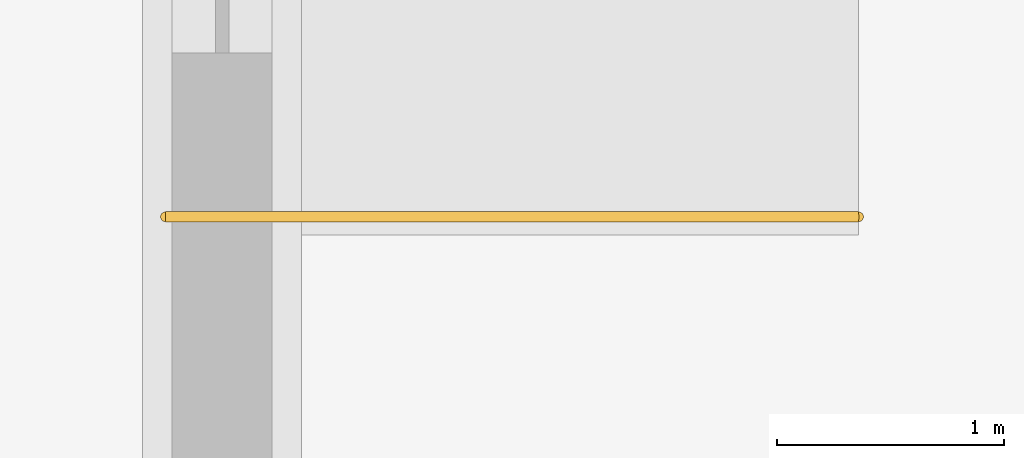
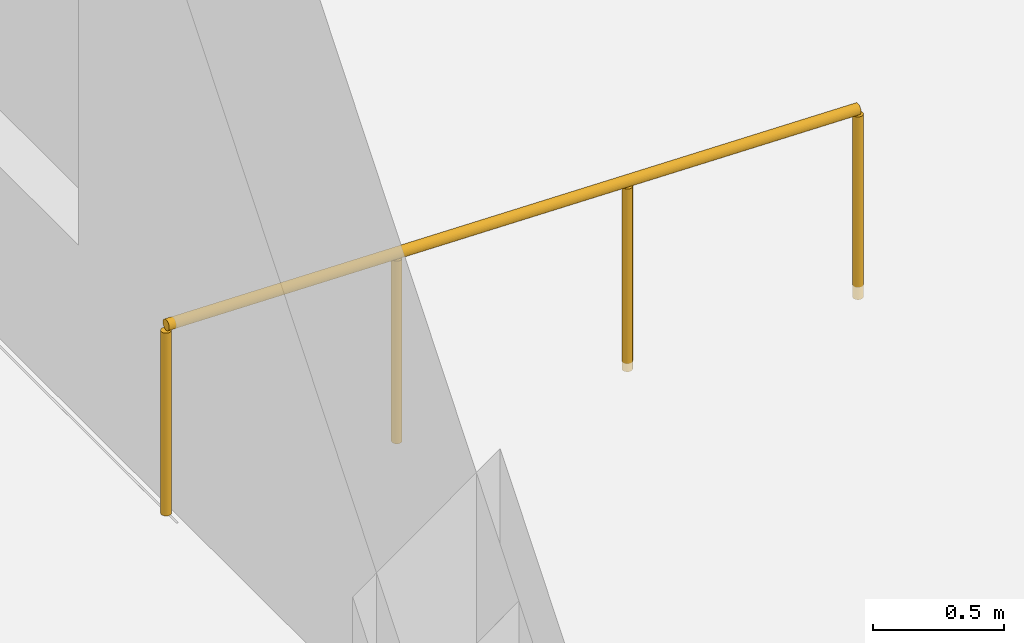
# One storey, part 72 of 72: 1 railing.
"""IFC4 building model written with IfcOpenShell, lengths in metres."""

from ifc_helpers import new_model, si_unit, direction, frame, origin, origin_2d, place, context, subcontext, project, spatial, circle, extrude, material, type_object, element, save


model = new_model("IFC4")

# Units and contexts
model_context = context("Model", 3, precision=1e-05, world=origin(), true_north=direction((0.0, 1.0)))
body_context = subcontext(model_context, "Body", "Model", "MODEL_VIEW")
ifc_project = project(units=[si_unit("LENGTHUNIT", "METRE"), si_unit("AREAUNIT", "SQUARE_METRE"), si_unit("VOLUMEUNIT", "CUBIC_METRE"), si_unit("PLANEANGLEUNIT", "RADIAN"), si_unit("MASSUNIT", "GRAM", prefix="KILO")], contexts=[model_context])

# Site, building, storey
site_placement = place(None, origin())
site = spatial("IfcSite", under=ifc_project, at=site_placement, CompositionType="ELEMENT")
building_placement = place(site_placement, origin())
building = spatial("IfcBuilding", under=site, at=building_placement, Name="Korsvaeld Concert Hall", CompositionType="ELEMENT")
storey_placement = place(building_placement, origin())
storey = spatial("IfcBuildingStorey", under=building, at=storey_placement, Name="L00", CompositionType="ELEMENT", Elevation=0.0)

# Railing
ifc_material = material(Name="Anodised architectural bronze handrail")
railing_type = type_object("IfcRailingType", Name="RL-RAMP-HAND-90", PredefinedType="HANDRAIL", material=ifc_material)
railing_placement = place(storey_placement, frame((156.39990234375, 78.679931640625, -0.06005859375)))
element("IfcRailing", 1, at=railing_placement, inside=storey, type_object=railing_type, Name="Accessible ramp handrail RMP-E1", PredefinedType="HANDRAIL", context=body_context, shape_type="SweptSolid", body=[
    extrude(circle(Radius=0.02392578125, at=origin_2d()), frame((0.0, 0.0, 0.8759765625), z_axis=(-0.999806157065, 0.0, 0.019688785994), x_axis=(0.0, -1.0, 0.0)), (0.0, 0.0, 1.0), 3.05029296875),
    extrude(circle(Radius=0.02099609375, at=origin_2d()), origin(), (0.0, 0.0, 1.0), 0.851806640625),
    extrude(circle(Radius=0.02099609375, at=origin_2d()), frame((-1.0166015625, 0.0, 0.02001953125)), (0.0, 0.0, 1.0), 0.851806640625),
    extrude(circle(Radius=0.02099609375, at=origin_2d()), frame((-2.033203125, 0.0, 0.0400390625)), (0.0, 0.0, 1.0), 0.851806640625),
    extrude(circle(Radius=0.02099609375, at=origin_2d()), frame((-3.0498046875, 0.0, 0.06005859375)), (0.0, 0.0, 1.0), 0.851806640625),
])

save(model, "model.ifc")
